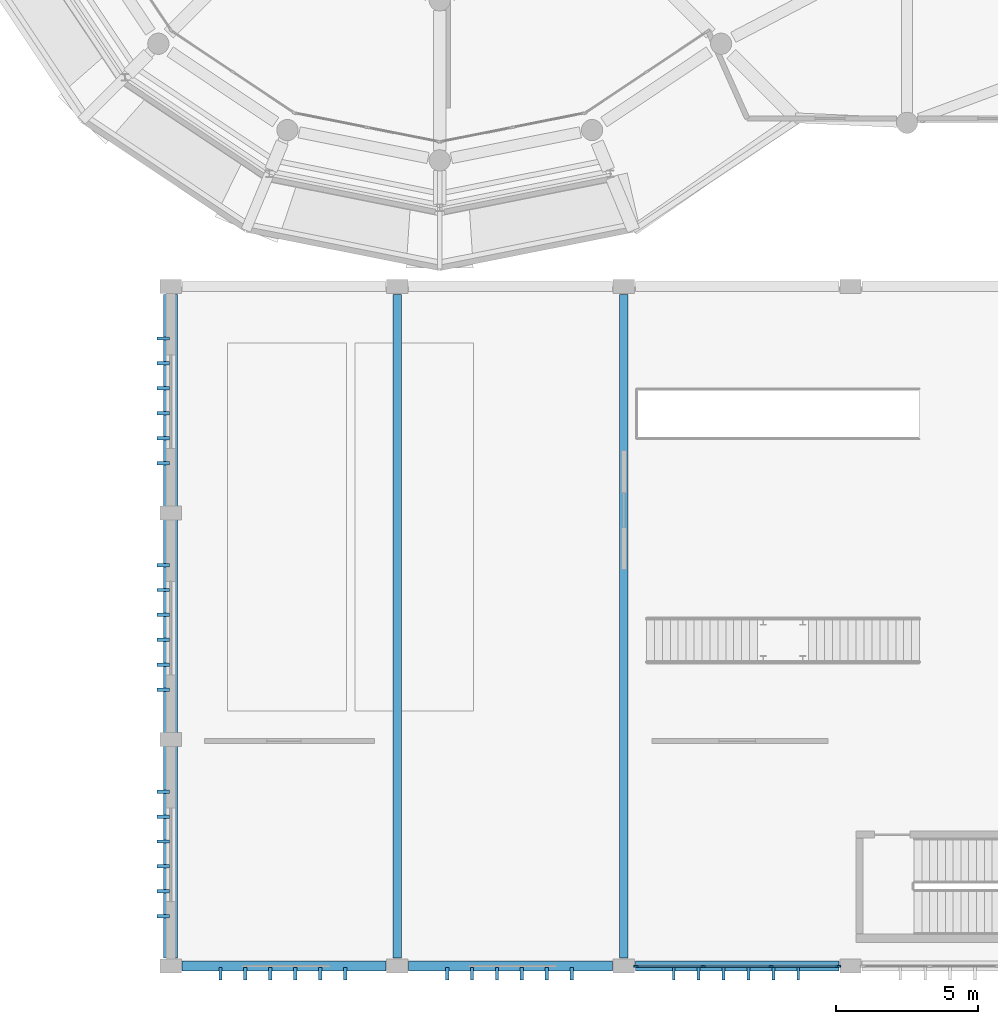
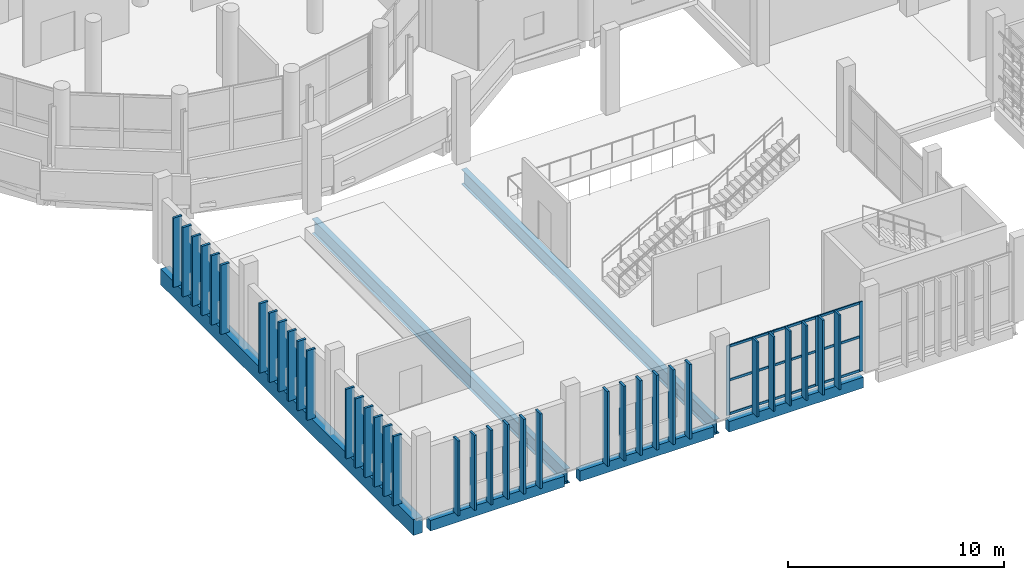
# One storey, part 18 of 106: 49 members, 6 beams, 1 element without a shape of its own.
"""IFC4 building model written with IfcOpenShell, lengths in metres."""

import ifcopenshell
import ifcopenshell.guid

model = None  # the IFC model being written
_history = None  # IfcOwnerHistory: only IFC2X3 demands one
_inside = {}  # id of a spatial element -> (the spatial element, [elements in it])
_under = {}  # id of a project, library or spatial element -> (it, [spatial elements below it])
_declared = {}  # id of a project -> (the project, [libraries it declares])
_typed = {}  # id of a type object -> (the type object, [elements of that type])
_made_of = {}  # id of a material, layer set ... -> (it, [elements and type objects made of it])


def new_model(schema):
    """Start an empty IFC model of exactly this schema.

    Asked for "IFC4X3", IfcOpenShell would pick the latest addendum, in which some entities
    have other attributes; the version numbers below select the first issue.
    IFC2X3 requires an IfcOwnerHistory on every rooted entity: one is made here for all.
    """
    global model, _history
    if schema == "IFC4X3":
        model = ifcopenshell.file(schema_version=(4, 3, 0, 0))
    else:
        model = ifcopenshell.file(schema=schema)
    _inside.clear()
    _under.clear()
    _declared.clear()
    _typed.clear()
    _made_of.clear()
    _history = None
    if model.schema == "IFC2X3":
        org = make("IfcOrganization", Name="unknown")
        user = make(
            "IfcPersonAndOrganization",
            ThePerson=make("IfcPerson", FamilyName="unknown"),
            TheOrganization=org,
        )
        app = make(
            "IfcApplication",
            ApplicationDeveloper=org,
            Version="unknown",
            ApplicationFullName="unknown",
            ApplicationIdentifier="unknown",
        )
        _history = make(
            "IfcOwnerHistory",
            OwningUser=user,
            OwningApplication=app,
            ChangeAction="ADDED",
            CreationDate=0,
        )
    return model


def make(cls, **values):
    """One entity of the class cls with the attributes given. An attribute that is None is left unset."""
    return model.create_entity(
        cls, **{name: value for name, value in values.items() if value is not None}
    )


def rooted(cls, **values):
    """An entity with a GlobalId (a new one), such as an element, a storey or a relation."""
    return make(cls, GlobalId=ifcopenshell.guid.new(), OwnerHistory=_history, **values)


def si_unit(unit_type, name, prefix=None):
    """IfcSIUnit, for example si_unit("LENGTHUNIT", "METRE", prefix="MILLI")."""
    return make("IfcSIUnit", UnitType=unit_type, Prefix=prefix, Name=name)


def assignment(units):
    """IfcUnitAssignment: the units of a project."""
    return None if units is None else make("IfcUnitAssignment", Units=units)


def point(xyz):
    """IfcCartesianPoint."""
    return None if xyz is None else make("IfcCartesianPoint", Coordinates=xyz)


def direction(xyz):
    """IfcDirection."""
    return None if xyz is None else make("IfcDirection", DirectionRatios=xyz)


def frame(location, z_axis=None, x_axis=None):
    """IfcAxis2Placement3D, a coordinate frame: its origin and axes. An axis left out is left unset."""
    return make(
        "IfcAxis2Placement3D",
        Location=point(location),
        Axis=direction(z_axis),
        RefDirection=direction(x_axis),
    )


def frame_2d(location, x_axis=None):
    """IfcAxis2Placement2D, a coordinate frame in the plane: its origin and x axis."""
    return make(
        "IfcAxis2Placement2D", Location=point(location), RefDirection=direction(x_axis)
    )


def origin():
    """The frame at (0, 0, 0) with its axes left unset."""
    return frame((0.0, 0.0, 0.0))


def origin_2d():
    """The frame at (0, 0) in the plane with its x axis left unset."""
    return frame_2d((0.0, 0.0))


def place(relative_to, where):
    """IfcLocalPlacement: puts the frame where relative to a parent placement (None: the world)."""
    return make(
        "IfcLocalPlacement", PlacementRelTo=relative_to, RelativePlacement=where
    )


def context(
    kind, dimensions, precision=None, world=None, true_north=None, identifier=None
):
    """IfcGeometricRepresentationContext, for example the 3D "Model" context."""
    return make(
        "IfcGeometricRepresentationContext",
        ContextIdentifier=identifier,
        ContextType=kind,
        CoordinateSpaceDimension=dimensions,
        Precision=precision,
        WorldCoordinateSystem=world,
        TrueNorth=true_north,
    )


def subcontext(parent, identifier, kind, view, scale=None):
    """IfcGeometricRepresentationSubContext, for example "Body" below "Model"."""
    return make(
        "IfcGeometricRepresentationSubContext",
        ContextIdentifier=identifier,
        ContextType=kind,
        ParentContext=parent,
        TargetScale=scale,
        TargetView=view,
    )


def project(units=None, contexts=None):
    """IfcProject with its units and contexts."""
    return rooted(
        "IfcProject",
        Name="project",
        RepresentationContexts=contexts,
        UnitsInContext=assignment(units),
    )


def spatial(cls, under=None, at=None, **own):
    """A site, building, storey or space (cls), placed at a placement, below another one or the project."""
    s = rooted(cls, ObjectPlacement=at, **own)
    if under is not None:
        _under.setdefault(under.id(), (under, []))[1].append(s)
    return s


def profile(cls, at=None, kind="AREA", **sizes):
    """A parametric profile (cls). Its sizes go by their IFC names, for example OverallWidth=200.0."""
    return make(cls, ProfileType=kind, Position=at, **sizes)


def rectangle(**sizes):
    """IfcRectangleProfileDef."""
    return profile("IfcRectangleProfileDef", **sizes)


def i_section(**sizes):
    """IfcIShapeProfileDef."""
    return profile("IfcIShapeProfileDef", **sizes)


def extrude(swept, where, along, depth):
    """IfcExtrudedAreaSolid: the profile swept, set in the frame where, extruded along a direction by depth."""
    return make(
        "IfcExtrudedAreaSolid",
        SweptArea=swept,
        Position=where,
        ExtrudedDirection=direction(along),
        Depth=depth,
    )


def shape(context_of_items, identifier, shape_type, items):
    """IfcShapeRepresentation: the items that make up one representation, for example the "Body"."""
    return make(
        "IfcShapeRepresentation",
        ContextOfItems=context_of_items,
        RepresentationIdentifier=identifier,
        RepresentationType=shape_type,
        Items=items,
    )


def material(Name=None, Category=None):
    """IfcMaterial."""
    return make("IfcMaterial", Name=Name, Category=Category)


def layer(
    of_material, thickness, ventilated=None, Name=None, Category=None, Priority=None
):
    """IfcMaterialLayer: one layer of a wall or slab, of a material (None: an air gap)."""
    return make(
        "IfcMaterialLayer",
        Material=of_material,
        LayerThickness=thickness,
        IsVentilated=ventilated,
        Name=Name,
        Category=Category,
        Priority=Priority,
    )


def layer_set(layers, Name=None):
    """IfcMaterialLayerSet."""
    return make("IfcMaterialLayerSet", MaterialLayers=layers, LayerSetName=Name)


def material_profile(
    of_material, cross_section, Name=None, Category=None, Priority=None
):
    """IfcMaterialProfile: a cross section and its material."""
    return make(
        "IfcMaterialProfile",
        Name=Name,
        Material=of_material,
        Profile=cross_section,
        Priority=Priority,
        Category=Category,
    )


def profile_set(profiles, Name=None, composite=None):
    """IfcMaterialProfileSet."""
    return make(
        "IfcMaterialProfileSet",
        Name=Name,
        MaterialProfiles=profiles,
        CompositeProfile=composite,
    )


def made_of(thing, what):
    """Note that an element or type object is made of a material, layer set ...; save() writes the relation."""
    if what is not None:
        _made_of.setdefault(what.id(), (what, []))[1].append(thing)
    return thing


def type_object(cls, material=None, **own):
    """A type object (cls), such as IfcWallType, which elements share."""
    return made_of(rooted(cls, **own), material)


def element(
    cls,
    number,
    at=None,
    inside=None,
    cuts=None,
    type_object=None,
    material=None,
    context=None,
    identifier="Body",
    shape_type=None,
    held_by="IfcProductDefinitionShape",
    body=None,
    shapes=None,
    **own,
):
    """One element of the class cls, such as IfcWall. Its Tag is "e" and its number.

    at: its placement. inside: the storey or other place that contains it. cuts: it is an
    opening in that element (IfcRelVoidsElement). A single representation is given by context,
    identifier, shape_type and body (its items); several are given by shapes. held_by: the class
    of the entity that holds the representations. save() writes the other relations.
    """
    e = rooted(cls, Tag="e%d" % number, ObjectPlacement=at, **own)
    if body is not None:
        shapes = [shape(context, identifier, shape_type, body)]
    if shapes is not None:
        e.Representation = make(held_by, Representations=shapes)
    if inside is not None:
        _inside.setdefault(inside.id(), (inside, []))[1].append(e)
    if cuts is not None:
        rooted(
            "IfcRelVoidsElement", RelatingBuildingElement=cuts, RelatedOpeningElement=e
        )
    if type_object is not None:
        _typed.setdefault(type_object.id(), (type_object, []))[1].append(e)
    return made_of(e, material)


def aggregate(whole, parts):
    """IfcRelAggregates: a whole, such as a stair, and the parts it consists of."""
    return rooted("IfcRelAggregates", RelatingObject=whole, RelatedObjects=parts)


def save(model, path):
    """Write the relations noted so far, then the file.

    IfcRelAggregates (storeys below a building ...), IfcRelContainedInSpatialStructure (elements
    in a storey), IfcRelDefinesByType, IfcRelAssociatesMaterial and IfcRelDeclares: one each for
    every whole, place, type object, material and project.
    """
    for whole, parts in _under.values():
        aggregate(whole, parts)
    for where, things in _inside.values():
        rooted(
            "IfcRelContainedInSpatialStructure",
            RelatedElements=things,
            RelatingStructure=where,
        )
    for kind, things in _typed.values():
        rooted("IfcRelDefinesByType", RelatedObjects=things, RelatingType=kind)
    for what, things in _made_of.values():
        rooted("IfcRelAssociatesMaterial", RelatedObjects=things, RelatingMaterial=what)
    for by, libraries in _declared.values():
        rooted("IfcRelDeclares", RelatingContext=by, RelatedDefinitions=libraries)
    model.write(path)


model = new_model("IFC4")

# Units and contexts
model_context = context("Model", 3, precision=1e-05, world=origin(), true_north=direction((0.0, 1.0)))
body_context = subcontext(model_context, "Body", "Model", "MODEL_VIEW")
ifc_project = project(units=[si_unit("LENGTHUNIT", "METRE"), si_unit("AREAUNIT", "SQUARE_METRE"), si_unit("VOLUMEUNIT", "CUBIC_METRE"), si_unit("PLANEANGLEUNIT", "RADIAN"), si_unit("MASSUNIT", "GRAM", prefix="KILO")], contexts=[model_context])

# Site, building, storey
site_placement = place(None, origin())
site = spatial("IfcSite", under=ifc_project, at=site_placement, CompositionType="ELEMENT")
building_placement = place(site_placement, origin())
building = spatial("IfcBuilding", under=site, at=building_placement, Name="Jelvoka-Kovrelna Polytechnic", CompositionType="ELEMENT")
storey_placement = place(building_placement, frame((0.0, 0.0, 4.800048828125)))
storey = spatial("IfcBuildingStorey", under=building, at=storey_placement, Name="L02", CompositionType="ELEMENT", Elevation=4.800048828125)

# Beams
ifc_material_1 = material(Name="Concrete C40/50", Category="concrete")
ifc_material_profile_1 = material_profile(ifc_material_1, rectangle(XDim=0.5, YDim=0.89990234375, at=origin_2d()), Name="RC 500x900")
ifc_profile_set_1 = profile_set([ifc_material_profile_1], Name="Concrete C40/50")
beam_type_1 = type_object("IfcBeamType", Name="Beam_RC_500x900", PredefinedType="BEAM", material=ifc_profile_set_1)
beam_placement = place(storey_placement, frame((16.0, 0.280029296875, -0.735107421875), z_axis=(0.0, 1.0, 0.0), x_axis=(-1.0, 0.0, 0.0)))
element("IfcBeam", 1, at=beam_placement, inside=storey, type_object=beam_type_1, Name="L02 beam 0157", PredefinedType="BEAM", context=body_context, shape_type="SweptSolid", body=[
    extrude(rectangle(XDim=0.5, YDim=0.89990234375, at=origin_2d()), origin(), (0.0, 0.0, 1.0), 23.43994140625),
])
ifc_material_2 = material(Name="Structural steel S355JR", Category="steel")
ifc_material_profile_2 = material_profile(ifc_material_2, i_section(OverallWidth=0.291748046875, OverallDepth=0.8349609375, WebThickness=0.013916015625, FlangeThickness=0.018798828125, FilletRadius=0.017822265625, at=origin_2d()), Name="838x292x176 UB")
ifc_profile_set_2 = profile_set([ifc_material_profile_2], Name="Structural steel S355JR")
beam_type_2 = type_object("IfcBeamType", Name="Girder_Steel_UB838", PredefinedType="BEAM", material=ifc_profile_set_2)
for number, where, z_axis, x_axis, name in (
    (2, (24.0, 0.280029296875, -0.702392578125), (0.0, 1.0, 0.0), (-1.0, 0.0, 0.0), "L02 beam 0158"),
    (3, (32.0, 0.280029296875, -0.702392578125), (0.0, 1.0, 0.0), (-1.0, 0.0, 0.0), "L02 beam 0159"),
):
    element("IfcBeam", number, at=place(storey_placement, frame(where, z_axis=z_axis, x_axis=x_axis)), inside=storey, type_object=beam_type_2, Name=name, PredefinedType="BEAM", context=body_context, shape_type="SweptSolid", body=[
        extrude(i_section(OverallWidth=0.291748046875, OverallDepth=0.8349609375, WebThickness=0.013916015625, FlangeThickness=0.018798828125, FilletRadius=0.017822265625, at=origin_2d()), origin(), (0.0, 0.0, 1.0), 23.43994140625),
    ])

# Members
ifc_material_3 = material(Name="Precast concrete C40/50", Category="concrete")
ifc_material_profile_3 = material_profile(ifc_material_3, rectangle(XDim=0.10009765625, YDim=0.449951171875, at=origin_2d()), Name="PC 100x450")
ifc_profile_set_3 = profile_set([ifc_material_profile_3], Name="Precast concrete C40/50")
member_type_1 = type_object("IfcMemberType", Name="Louvre_Fin_100x450", PredefinedType="USERDEFINED", material=ifc_profile_set_3)
for number, where, z_axis, x_axis, name in (
    (4, (33.760009765625, -0.264892578125, -0.2900390625), (0.0, 0.0, 1.0), (1.0, 0.0, 0.0), "L02 V4 south solar louvre fin 2440"),
    (5, (34.639892578125, -0.264892578125, -0.2900390625), (0.0, 0.0, 1.0), (1.0, 0.0, 0.0), "L02 V4 south solar louvre fin 2441"),
    (6, (35.52001953125, -0.264892578125, -0.2900390625), (0.0, 0.0, 1.0), (1.0, 0.0, 0.0), "L02 V4 south solar louvre fin 2442"),
    (7, (36.39990234375, -0.264892578125, -0.2900390625), (0.0, 0.0, 1.0), (1.0, 0.0, 0.0), "L02 V4 south solar louvre fin 2443"),
    (8, (37.280029296875, -0.264892578125, -0.2900390625), (0.0, 0.0, 1.0), (1.0, 0.0, 0.0), "L02 V4 south solar louvre fin 2444"),
    (9, (38.159912109375, -0.264892578125, -0.2900390625), (0.0, 0.0, 1.0), (1.0, 0.0, 0.0), "L02 V4 south solar louvre fin 2445"),
):
    element("IfcMember", number, at=place(storey_placement, frame(where, z_axis=z_axis, x_axis=x_axis)), inside=storey, type_object=member_type_1, Name=name, ObjectType="SUNSHADE", PredefinedType="USERDEFINED", context=body_context, shape_type="SweptSolid", body=[
        extrude(rectangle(XDim=0.10009765625, YDim=0.449951171875, at=origin_2d()), origin(), (0.0, 0.0, 1.0), 4.22998046875),
    ])
ifc_material_4 = material(Name="Precast concrete C40/50", Category="concrete")
ifc_material_profile_4 = material_profile(ifc_material_4, rectangle(XDim=0.1201171875, YDim=0.449951171875, at=origin_2d()), Name="PC 120x450")
ifc_profile_set_4 = profile_set([ifc_material_profile_4], Name="Precast concrete C40/50")
member_type_2 = type_object("IfcMemberType", Name="Louvre_Fin_120x450", PredefinedType="USERDEFINED", material=ifc_profile_set_4)
for number, where, z_axis, x_axis, name in (
    (10, (17.760009765625, -0.264892578125, -0.2900390625), (0.0, 0.0, 1.0), (1.0, 0.0, 0.0), "L02 V4 south solar louvre fin 2428"),
    (11, (18.639892578125, -0.264892578125, -0.2900390625), (0.0, 0.0, 1.0), (1.0, 0.0, 0.0), "L02 V4 south solar louvre fin 2429"),
    (12, (19.52001953125, -0.264892578125, -0.2900390625), (0.0, 0.0, 1.0), (1.0, 0.0, 0.0), "L02 V4 south solar louvre fin 2430"),
    (13, (20.39990234375, -0.264892578125, -0.2900390625), (0.0, 0.0, 1.0), (1.0, 0.0, 0.0), "L02 V4 south solar louvre fin 2431"),
    (14, (21.280029296875, -0.264892578125, -0.2900390625), (0.0, 0.0, 1.0), (1.0, 0.0, 0.0), "L02 V4 south solar louvre fin 2432"),
    (15, (22.159912109375, -0.264892578125, -0.2900390625), (0.0, 0.0, 1.0), (1.0, 0.0, 0.0), "L02 V4 south solar louvre fin 2433"),
    (16, (25.760009765625, -0.264892578125, -0.2900390625), (0.0, 0.0, 1.0), (1.0, 0.0, 0.0), "L02 V4 south solar louvre fin 2434"),
    (17, (26.639892578125, -0.264892578125, -0.2900390625), (0.0, 0.0, 1.0), (1.0, 0.0, 0.0), "L02 V4 south solar louvre fin 2435"),
    (18, (27.52001953125, -0.264892578125, -0.2900390625), (0.0, 0.0, 1.0), (1.0, 0.0, 0.0), "L02 V4 south solar louvre fin 2436"),
    (19, (28.39990234375, -0.264892578125, -0.2900390625), (0.0, 0.0, 1.0), (1.0, 0.0, 0.0), "L02 V4 south solar louvre fin 2437"),
    (20, (29.280029296875, -0.264892578125, -0.2900390625), (0.0, 0.0, 1.0), (1.0, 0.0, 0.0), "L02 V4 south solar louvre fin 2438"),
    (21, (30.159912109375, -0.264892578125, -0.2900390625), (0.0, 0.0, 1.0), (1.0, 0.0, 0.0), "L02 V4 south solar louvre fin 2439"),
):
    element("IfcMember", number, at=place(storey_placement, frame(where, z_axis=z_axis, x_axis=x_axis)), inside=storey, type_object=member_type_2, Name=name, ObjectType="SUNSHADE", PredefinedType="USERDEFINED", context=body_context, shape_type="SweptSolid", body=[
        extrude(rectangle(XDim=0.1201171875, YDim=0.449951171875, at=origin_2d()), origin(), (0.0, 0.0, 1.0), 4.22998046875),
    ])
for number, where, z_axis, x_axis, name in (
    (22, (15.735107421875, 1.760009765625, -0.2900390625), (0.0, 0.0, 1.0), (0.0, 1.0, 0.0), "L02 V4 west solar louvre fin 2452"),
    (23, (15.735107421875, 2.639892578125, -0.2900390625), (0.0, 0.0, 1.0), (0.0, 1.0, 0.0), "L02 V4 west solar louvre fin 2453"),
    (24, (15.735107421875, 3.52001953125, -0.2900390625), (0.0, 0.0, 1.0), (0.0, 1.0, 0.0), "L02 V4 west solar louvre fin 2454"),
    (25, (15.735107421875, 4.39990234375, -0.2900390625), (0.0, 0.0, 1.0), (0.0, 1.0, 0.0), "L02 V4 west solar louvre fin 2455"),
    (26, (15.735107421875, 5.280029296875, -0.2900390625), (0.0, 0.0, 1.0), (0.0, 1.0, 0.0), "L02 V4 west solar louvre fin 2456"),
    (27, (15.735107421875, 6.159912109375, -0.2900390625), (0.0, 0.0, 1.0), (0.0, 1.0, 0.0), "L02 V4 west solar louvre fin 2457"),
    (28, (15.735107421875, 9.760009765625, -0.2900390625), (0.0, 0.0, 1.0), (0.0, 1.0, 0.0), "L02 V4 west solar louvre fin 2458"),
    (29, (15.735107421875, 10.639892578125, -0.2900390625), (0.0, 0.0, 1.0), (0.0, 1.0, 0.0), "L02 V4 west solar louvre fin 2459"),
    (30, (15.735107421875, 11.52001953125, -0.2900390625), (0.0, 0.0, 1.0), (0.0, 1.0, 0.0), "L02 V4 west solar louvre fin 2460"),
    (31, (15.735107421875, 12.39990234375, -0.2900390625), (0.0, 0.0, 1.0), (0.0, 1.0, 0.0), "L02 V4 west solar louvre fin 2461"),
    (32, (15.735107421875, 13.280029296875, -0.2900390625), (0.0, 0.0, 1.0), (0.0, 1.0, 0.0), "L02 V4 west solar louvre fin 2462"),
    (33, (15.735107421875, 14.159912109375, -0.2900390625), (0.0, 0.0, 1.0), (0.0, 1.0, 0.0), "L02 V4 west solar louvre fin 2463"),
    (34, (15.735107421875, 17.760009765625, -0.2900390625), (0.0, 0.0, 1.0), (0.0, 1.0, 0.0), "L02 V4 west solar louvre fin 2464"),
    (35, (15.735107421875, 18.639892578125, -0.2900390625), (0.0, 0.0, 1.0), (0.0, 1.0, 0.0), "L02 V4 west solar louvre fin 2465"),
    (36, (15.735107421875, 19.52001953125, -0.2900390625), (0.0, 0.0, 1.0), (0.0, 1.0, 0.0), "L02 V4 west solar louvre fin 2466"),
    (37, (15.735107421875, 20.39990234375, -0.2900390625), (0.0, 0.0, 1.0), (0.0, 1.0, 0.0), "L02 V4 west solar louvre fin 2467"),
    (38, (15.735107421875, 21.280029296875, -0.2900390625), (0.0, 0.0, 1.0), (0.0, 1.0, 0.0), "L02 V4 west solar louvre fin 2468"),
    (39, (15.735107421875, 22.159912109375, -0.2900390625), (0.0, 0.0, 1.0), (0.0, 1.0, 0.0), "L02 V4 west solar louvre fin 2469"),
):
    element("IfcMember", number, at=place(storey_placement, frame(where, z_axis=z_axis, x_axis=x_axis)), inside=storey, type_object=member_type_2, Name=name, ObjectType="SUNSHADE", PredefinedType="USERDEFINED", context=body_context, shape_type="SweptSolid", body=[
        extrude(rectangle(XDim=0.1201171875, YDim=0.449951171875, at=origin_2d()), origin(), (0.0, 0.0, 1.0), 3.929931640625),
    ])

# Curtain wall, members
ifc_material_5 = material(Name="Anodised aluminium 6063-T6", Category="aluminium")
ifc_layer = layer(ifc_material_5, 0.179931640625)
ifc_layer_set = layer_set([ifc_layer], Name="Anodised aluminium 6063-T6")
curtain_wall_type = type_object("IfcCurtainWallType", Name="CW_Pavilion", PredefinedType="NOTDEFINED", material=ifc_layer_set)
curtain_wall_placement = place(storey_placement, origin())
curtain_wall = element("IfcCurtainWall", 40, at=curtain_wall_placement, inside=storey, type_object=curtain_wall_type, Name="L02 glazed curtain wall 275", PredefinedType="NOTDEFINED")
ifc_material_6 = material(Name="Anodised aluminium 6063-T6", Category="aluminium")
ifc_material_profile_5 = material_profile(ifc_material_6, rectangle(XDim=0.06494140625, YDim=0.179931640625, at=origin_2d()), Name="ALU 65x180")
ifc_profile_set_5 = profile_set([ifc_material_profile_5], Name="Anodised aluminium 6063-T6")
member_type_3 = type_object("IfcMemberType", Name="Mullion_M-05", PredefinedType="MULLION", material=ifc_profile_set_5)
member_1_placement = place(storey_placement, frame((39.5673828125, 0.0, -0.02490234375), z_axis=(0.0, 0.0, 1.0), x_axis=(0.0, -1.0, 0.0)))
member_1 = element("IfcMember", 41, at=member_1_placement, type_object=member_type_3, Name="CW-05 mullion 1", PredefinedType="MULLION", context=body_context, shape_type="SweptSolid", body=[
    extrude(rectangle(XDim=0.06494140625, YDim=0.179931640625, at=origin_2d()), origin(), (0.0, 0.0, 1.0), 3.93994140625),
])
member_2_placement = place(storey_placement, frame((37.199951171875, 0.0, -0.02490234375), z_axis=(0.0, 0.0, 1.0), x_axis=(0.0, -1.0, 0.0)))
member_2 = element("IfcMember", 42, at=member_2_placement, type_object=member_type_3, Name="CW-05 mullion 2", PredefinedType="MULLION", context=body_context, shape_type="SweptSolid", body=[
    extrude(rectangle(XDim=0.06494140625, YDim=0.179931640625, at=origin_2d()), origin(), (0.0, 0.0, 1.0), 3.93994140625),
])
member_3_placement = place(storey_placement, frame((34.800048828125, 0.0, -0.02490234375), z_axis=(0.0, 0.0, 1.0), x_axis=(0.0, -1.0, 0.0)))
member_3 = element("IfcMember", 43, at=member_3_placement, type_object=member_type_3, Name="CW-05 mullion 3", PredefinedType="MULLION", context=body_context, shape_type="SweptSolid", body=[
    extrude(rectangle(XDim=0.06494140625, YDim=0.179931640625, at=origin_2d()), origin(), (0.0, 0.0, 1.0), 3.93994140625),
])
member_4_placement = place(storey_placement, frame((32.4326171875, 0.0, -0.02490234375), z_axis=(0.0, 0.0, 1.0), x_axis=(0.0, -1.0, 0.0)))
member_4 = element("IfcMember", 44, at=member_4_placement, type_object=member_type_3, Name="CW-05 mullion 4", PredefinedType="MULLION", context=body_context, shape_type="SweptSolid", body=[
    extrude(rectangle(XDim=0.06494140625, YDim=0.179931640625, at=origin_2d()), origin(), (0.0, 0.0, 1.0), 3.93994140625),
])

# Beams
ifc_material_7 = material(Name="Concrete C40/50", Category="concrete")
ifc_material_profile_6 = material_profile(ifc_material_7, rectangle(XDim=0.35009765625, YDim=0.60009765625, at=origin_2d()), Name="RC 350x600")
ifc_profile_set_6 = profile_set([ifc_material_profile_6], Name="Concrete C40/50")
beam_type_3 = type_object("IfcBeamType", Name="Spandrel_RC_350x600", PredefinedType="SPANDREL", material=ifc_profile_set_6)
for number, where, z_axis, x_axis, name in (
    (45, (16.405029296875, 0.0, -0.5849609375), (1.0, 0.0, 0.0), (0.0, 1.0, 0.0), "L02 beam 0161"),
    (46, (24.405029296875, 0.0, -0.5849609375), (1.0, 0.0, 0.0), (0.0, 1.0, 0.0), "L02 beam 0163"),
    (47, (32.405029296875, 0.0, -0.5849609375), (1.0, 0.0, 0.0), (0.0, 1.0, 0.0), "L02 beam 0165"),
):
    element("IfcBeam", number, at=place(storey_placement, frame(where, z_axis=z_axis, x_axis=x_axis)), inside=storey, type_object=beam_type_3, Name=name, PredefinedType="SPANDREL", context=body_context, shape_type="SweptSolid", body=[
        extrude(rectangle(XDim=0.35009765625, YDim=0.60009765625, at=origin_2d()), origin(), (0.0, 0.0, 1.0), 7.18994140625),
    ])

# Member
ifc_material_8 = material(Name="Anodised aluminium 6063-T6", Category="aluminium")
ifc_material_profile_7 = material_profile(ifc_material_8, rectangle(XDim=0.06494140625, YDim=0.135009765625, at=origin_2d()), Name="ALU 65x135")
ifc_profile_set_7 = profile_set([ifc_material_profile_7], Name="Anodised aluminium 6063-T6")
member_type_4 = type_object("IfcMemberType", Name="Transom_T-05", PredefinedType="USERDEFINED", material=ifc_profile_set_7)
member_5_placement = place(storey_placement, frame((39.534912109375, 0.0, 0.032470703125), z_axis=(-1.0, 0.0, 0.0), x_axis=(0.0, -1.0, 0.0)))
member_5 = element("IfcMember", 48, at=member_5_placement, type_object=member_type_4, Name="CW-05 transom 1.1", ObjectType="TRANSOM", PredefinedType="USERDEFINED", context=body_context, shape_type="SweptSolid", body=[
    extrude(rectangle(XDim=0.06494140625, YDim=0.135009765625, at=origin_2d()), origin(), (0.0, 0.0, 1.0), 2.302490234375),
])

member_6_placement = place(storey_placement, frame((39.534912109375, 0.0, 1.945068359375), z_axis=(-1.0, 0.0, 0.0), x_axis=(0.0, -1.0, 0.0)))
member_6 = element("IfcMember", 49, at=member_6_placement, type_object=member_type_4, Name="CW-05 transom 1.2", ObjectType="TRANSOM", PredefinedType="USERDEFINED", context=body_context, shape_type="SweptSolid", body=[
    extrude(rectangle(XDim=0.06494140625, YDim=0.135009765625, at=origin_2d()), origin(), (0.0, 0.0, 1.0), 2.302490234375),
])

member_7_placement = place(storey_placement, frame((39.534912109375, 0.0, 3.857421875), z_axis=(-1.0, 0.0, 0.0), x_axis=(0.0, -1.0, 0.0)))
member_7 = element("IfcMember", 50, at=member_7_placement, type_object=member_type_4, Name="CW-05 transom 1.3", ObjectType="TRANSOM", PredefinedType="USERDEFINED", context=body_context, shape_type="SweptSolid", body=[
    extrude(rectangle(XDim=0.06494140625, YDim=0.135009765625, at=origin_2d()), origin(), (0.0, 0.0, 1.0), 2.302490234375),
])

member_8_placement = place(storey_placement, frame((37.16748046875, 0.0, 0.032470703125), z_axis=(-1.0, 0.0, 0.0), x_axis=(0.0, -1.0, 0.0)))
member_8 = element("IfcMember", 51, at=member_8_placement, type_object=member_type_4, Name="CW-05 transom 2.1", ObjectType="TRANSOM", PredefinedType="USERDEFINED", context=body_context, shape_type="SweptSolid", body=[
    extrude(rectangle(XDim=0.06494140625, YDim=0.135009765625, at=origin_2d()), origin(), (0.0, 0.0, 1.0), 2.3349609375),
])

member_9_placement = place(storey_placement, frame((37.16748046875, 0.0, 1.945068359375), z_axis=(-1.0, 0.0, 0.0), x_axis=(0.0, -1.0, 0.0)))
member_9 = element("IfcMember", 52, at=member_9_placement, type_object=member_type_4, Name="CW-05 transom 2.2", ObjectType="TRANSOM", PredefinedType="USERDEFINED", context=body_context, shape_type="SweptSolid", body=[
    extrude(rectangle(XDim=0.06494140625, YDim=0.135009765625, at=origin_2d()), origin(), (0.0, 0.0, 1.0), 2.3349609375),
])

member_10_placement = place(storey_placement, frame((37.16748046875, 0.0, 3.857421875), z_axis=(-1.0, 0.0, 0.0), x_axis=(0.0, -1.0, 0.0)))
member_10 = element("IfcMember", 53, at=member_10_placement, type_object=member_type_4, Name="CW-05 transom 2.3", ObjectType="TRANSOM", PredefinedType="USERDEFINED", context=body_context, shape_type="SweptSolid", body=[
    extrude(rectangle(XDim=0.06494140625, YDim=0.135009765625, at=origin_2d()), origin(), (0.0, 0.0, 1.0), 2.3349609375),
])

member_11_placement = place(storey_placement, frame((34.767578125, 0.0, 0.032470703125), z_axis=(-1.0, 0.0, 0.0), x_axis=(0.0, -1.0, 0.0)))
member_11 = element("IfcMember", 54, at=member_11_placement, type_object=member_type_4, Name="CW-05 transom 3.1", ObjectType="TRANSOM", PredefinedType="USERDEFINED", context=body_context, shape_type="SweptSolid", body=[
    extrude(rectangle(XDim=0.06494140625, YDim=0.135009765625, at=origin_2d()), origin(), (0.0, 0.0, 1.0), 2.302490234375),
])

member_12_placement = place(storey_placement, frame((34.767578125, 0.0, 1.945068359375), z_axis=(-1.0, 0.0, 0.0), x_axis=(0.0, -1.0, 0.0)))
member_12 = element("IfcMember", 55, at=member_12_placement, type_object=member_type_4, Name="CW-05 transom 3.2", ObjectType="TRANSOM", PredefinedType="USERDEFINED", context=body_context, shape_type="SweptSolid", body=[
    extrude(rectangle(XDim=0.06494140625, YDim=0.135009765625, at=origin_2d()), origin(), (0.0, 0.0, 1.0), 2.302490234375),
])

member_13_placement = place(storey_placement, frame((34.767578125, 0.0, 3.857421875), z_axis=(-1.0, 0.0, 0.0), x_axis=(0.0, -1.0, 0.0)))
member_13 = element("IfcMember", 56, at=member_13_placement, type_object=member_type_4, Name="CW-05 transom 3.3", ObjectType="TRANSOM", PredefinedType="USERDEFINED", context=body_context, shape_type="SweptSolid", body=[
    extrude(rectangle(XDim=0.06494140625, YDim=0.135009765625, at=origin_2d()), origin(), (0.0, 0.0, 1.0), 2.302490234375),
])

aggregate(curtain_wall, [member_1, member_2, member_3, member_4, member_5, member_6, member_7, member_8, member_9, member_10, member_11, member_12, member_13])

save(model, "model.ifc")
